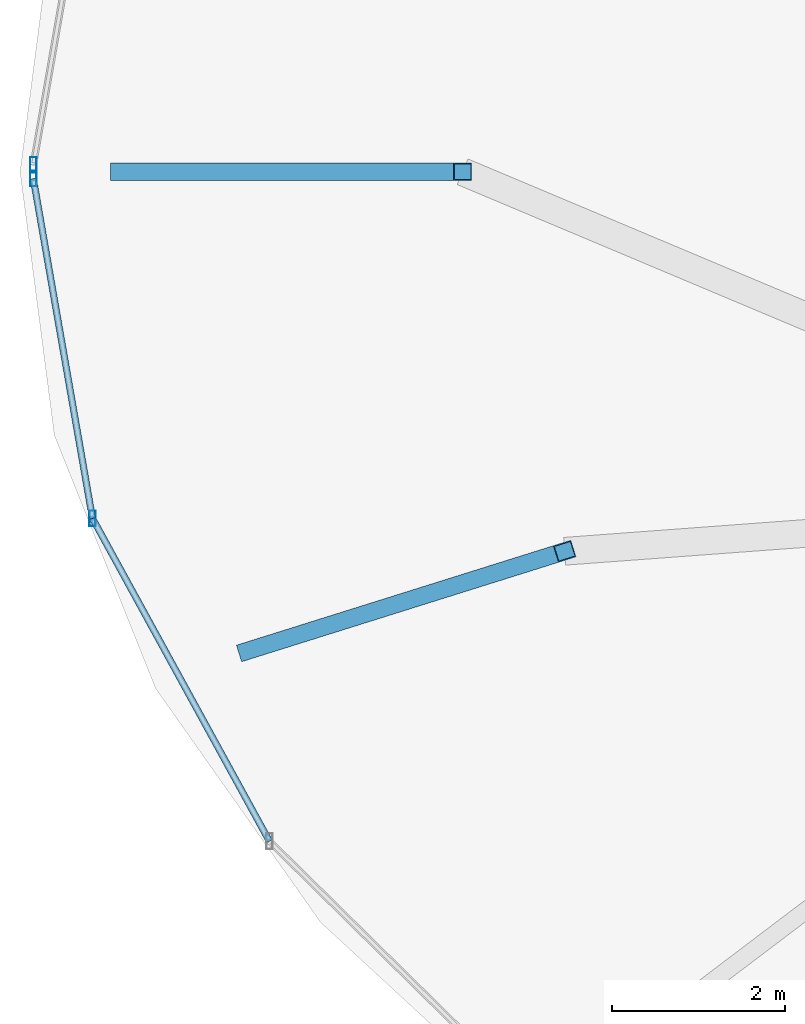
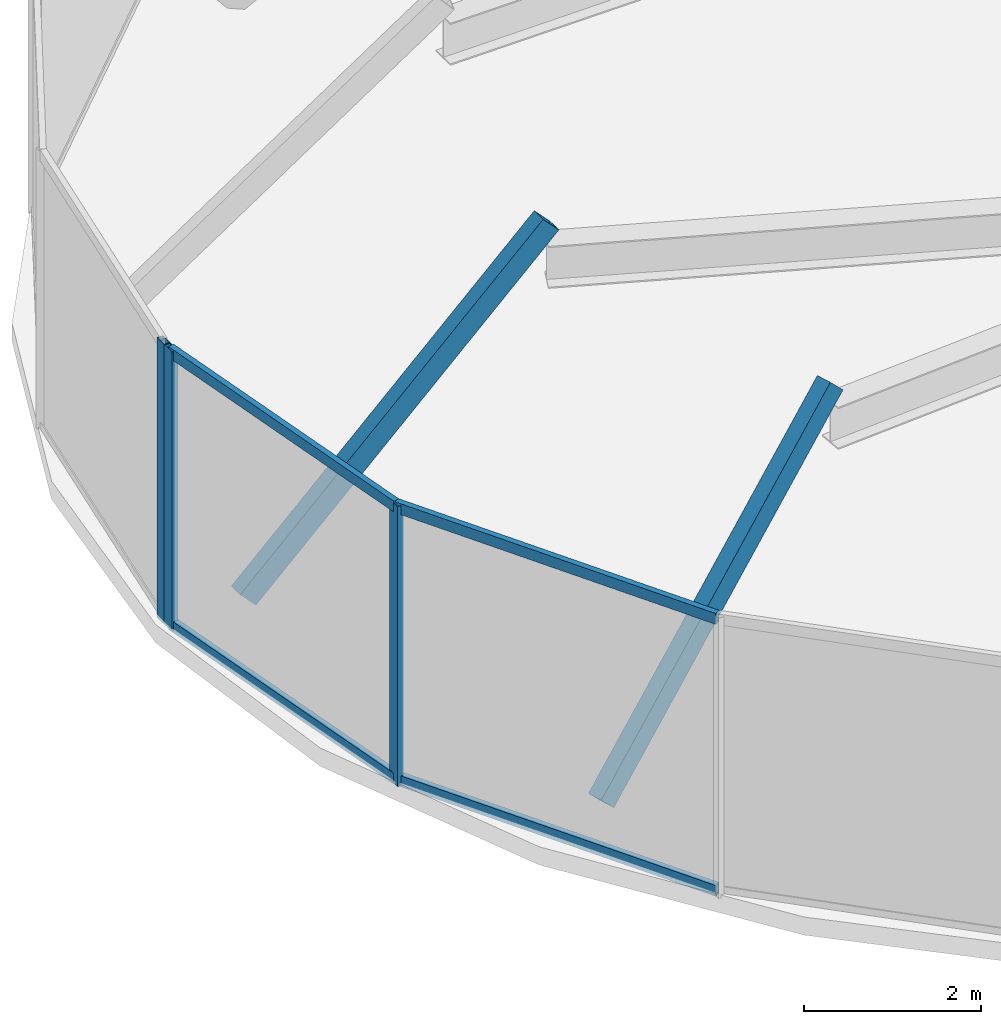
# One storey, part 3 of 14: 9 members, 2 elements without a shape of their own.
"""IFC4 building model written with IfcOpenShell, lengths in metres."""

from ifc_helpers import new_model, si_unit, direction, frame, origin, origin_2d, place, context, subcontext, project, spatial, hollow_rectangle, extrude, material, material_profile, profile_set, type_object, element, aggregate, save


model = new_model("IFC4")

# Units and contexts
model_context = context("Model", 3, precision=1e-05, world=origin(), true_north=direction((0.0, 1.0)))
body_context = subcontext(model_context, "Body", "Model", "MODEL_VIEW")
ifc_project = project(units=[si_unit("LENGTHUNIT", "METRE"), si_unit("AREAUNIT", "SQUARE_METRE"), si_unit("VOLUMEUNIT", "CUBIC_METRE"), si_unit("PLANEANGLEUNIT", "RADIAN"), si_unit("MASSUNIT", "GRAM", prefix="KILO")], contexts=[model_context])

# Site, building, storey
site_placement = place(None, origin())
site = spatial("IfcSite", under=ifc_project, at=site_placement, CompositionType="ELEMENT")
building_placement = place(site_placement, origin())
building = spatial("IfcBuilding", under=site, at=building_placement, Name="Vorneva Point Tower", CompositionType="ELEMENT")
storey_placement = place(building_placement, frame((0.0, 0.0, 299.199951171875)))
storey = spatial("IfcBuildingStorey", under=building, at=storey_placement, Name="C02", CompositionType="ELEMENT", Elevation=299.199951171875)

# Curtain wall, member
ifc_material_1 = material(Name="Pale anodised aluminium", Category="aluminium")
curtain_wall_type = type_object("IfcCurtainWallType", Name="CW-CRN-SYS", PredefinedType="NOTDEFINED", material=ifc_material_1)
curtain_wall_1_placement = place(storey_placement, origin())
curtain_wall_1 = element("IfcCurtainWall", 1, at=curtain_wall_1_placement, inside=storey, type_object=curtain_wall_type, Name="C02 Unitised Curtain Wall CW-C02-Q2", PredefinedType="NOTDEFINED")
ifc_material_profile_1 = material_profile(ifc_material_1, hollow_rectangle(XDim=0.074951171875, YDim=0.179931640625, WallThickness=0.00390625, at=origin_2d()), Name="AL-MUL 180x75x4")
ifc_profile_set_1 = profile_set([ifc_material_profile_1], Name="Pale anodised aluminium")
member_type_1 = type_object("IfcMemberType", Name="CW-MUL-180", PredefinedType="MULLION", material=ifc_profile_set_1)
member_1_placement = place(storey_placement, frame((17.561767578125, 26.078857421875, -0.0400390625), z_axis=(0.0, 0.0, 1.0), x_axis=(1.0, 0.0, 0.0)))
member_1 = element("IfcMember", 2, at=member_1_placement, type_object=member_type_1, Name="CW-C02-Q2 Mullion 07", PredefinedType="MULLION", context=body_context, shape_type="SweptSolid", body=[
    extrude(hollow_rectangle(XDim=0.074951171875, YDim=0.179931640625, WallThickness=0.00390625, at=origin_2d()), origin(), (0.0, 0.0, 1.0), 3.8701171875),
])
aggregate(curtain_wall_1, [member_1])

# Curtain wall, members
curtain_wall_2_placement = place(storey_placement, origin())
curtain_wall_2 = element("IfcCurtainWall", 3, at=curtain_wall_2_placement, inside=storey, type_object=curtain_wall_type, Name="C02 Unitised Curtain Wall CW-C02-Q3", PredefinedType="NOTDEFINED")
member_2_placement = place(storey_placement, frame((17.561767578125, 25.921142578125, -0.0400390625), z_axis=(0.0, 0.0, 1.0), x_axis=(1.0, 0.0, 0.0)))
member_2 = element("IfcMember", 4, at=member_2_placement, type_object=member_type_1, Name="CW-C02-Q3 Mullion 01", PredefinedType="MULLION", context=body_context, shape_type="SweptSolid", body=[
    extrude(hollow_rectangle(XDim=0.074951171875, YDim=0.179931640625, WallThickness=0.00390625, at=origin_2d()), origin(), (0.0, 0.0, 1.0), 3.8701171875),
])
member_3_placement = place(storey_placement, frame((18.244873046875, 21.998779296875, -0.0400390625), z_axis=(0.0, 0.0, 1.0), x_axis=(1.0, 0.0, 0.0)))
member_3 = element("IfcMember", 5, at=member_3_placement, type_object=member_type_1, Name="CW-C02-Q3 Mullion 02", PredefinedType="MULLION", context=body_context, shape_type="SweptSolid", body=[
    extrude(hollow_rectangle(XDim=0.074951171875, YDim=0.179931640625, WallThickness=0.00390625, at=origin_2d()), origin(), (0.0, 0.0, 1.0), 3.8701171875),
])
ifc_material_profile_2 = material_profile(ifc_material_1, hollow_rectangle(XDim=0.074951171875, YDim=0.14990234375, WallThickness=0.00390625, at=origin_2d()), Name="AL-TRN 150x75x4")
ifc_profile_set_2 = profile_set([ifc_material_profile_2], Name="Pale anodised aluminium")
member_type_2 = type_object("IfcMemberType", Name="CW-TRN-150", PredefinedType="USERDEFINED", material=ifc_profile_set_2)
member_4_placement = place(storey_placement, frame((17.561767578125, 25.921142578125, 0.02001953125), z_axis=(0.17157407442, -0.985171222168, 0.0), x_axis=(0.985171222168, 0.17157407442, 0.0)))
member_4 = element("IfcMember", 6, at=member_4_placement, type_object=member_type_2, Name="CW-C02-Q3 Transom 01.1", ObjectType="TRANSOM", PredefinedType="USERDEFINED", context=body_context, shape_type="SweptSolid", body=[
    extrude(hollow_rectangle(XDim=0.074951171875, YDim=0.14990234375, WallThickness=0.00390625, at=origin_2d()), origin(), (0.0, 0.0, 1.0), 3.9814453125),
])
member_5_placement = place(storey_placement, frame((17.561767578125, 25.921142578125, 3.780029296875), z_axis=(0.17157407442, -0.985171222168, 0.0), x_axis=(0.985171222168, 0.17157407442, 0.0)))
member_5 = element("IfcMember", 7, at=member_5_placement, type_object=member_type_2, Name="CW-C02-Q3 Transom 01.2", ObjectType="TRANSOM", PredefinedType="USERDEFINED", context=body_context, shape_type="SweptSolid", body=[
    extrude(hollow_rectangle(XDim=0.074951171875, YDim=0.14990234375, WallThickness=0.00390625, at=origin_2d()), origin(), (0.0, 0.0, 1.0), 3.9814453125),
])
member_6_placement = place(storey_placement, frame((18.244873046875, 21.998779296875, 0.02001953125), z_axis=(0.480544935922, -0.876970104713, 0.0), x_axis=(0.876970104713, 0.480544935922, 0.0)))
member_6 = element("IfcMember", 8, at=member_6_placement, type_object=member_type_2, Name="CW-C02-Q3 Transom 02.1", ObjectType="TRANSOM", PredefinedType="USERDEFINED", context=body_context, shape_type="SweptSolid", body=[
    extrude(hollow_rectangle(XDim=0.074951171875, YDim=0.14990234375, WallThickness=0.00390625, at=origin_2d()), origin(), (0.0, 0.0, 1.0), 4.251953125),
])
member_7_placement = place(storey_placement, frame((18.244873046875, 21.998779296875, 3.780029296875), z_axis=(0.480544935922, -0.876970104713, 0.0), x_axis=(0.876970104713, 0.480544935922, 0.0)))
member_7 = element("IfcMember", 9, at=member_7_placement, type_object=member_type_2, Name="CW-C02-Q3 Transom 02.2", ObjectType="TRANSOM", PredefinedType="USERDEFINED", context=body_context, shape_type="SweptSolid", body=[
    extrude(hollow_rectangle(XDim=0.074951171875, YDim=0.14990234375, WallThickness=0.00390625, at=origin_2d()), origin(), (0.0, 0.0, 1.0), 4.251953125),
])
aggregate(curtain_wall_2, [member_2, member_3, member_4, member_5, member_6, member_7])

# Members
ifc_material_2 = material(Name="Steel S355", Category="steel")
ifc_material_profile_3 = material_profile(ifc_material_2, hollow_rectangle(XDim=0.199951171875, YDim=0.300048828125, WallThickness=0.011962890625, at=origin_2d()), Name="PP 300x200x12")
ifc_profile_set_3 = profile_set([ifc_material_profile_3], Name="Steel S355")
member_type_3 = type_object("IfcMemberType", Name="MBR-CRN-PP300", PredefinedType="CHORD", material=ifc_profile_set_3)
member_8_placement = place(storey_placement, frame((18.55810546875, 26.0, 0.0), z_axis=(0.721525091303, 0.0, 0.692388288911), x_axis=(0.0, 1.0, 0.0)))
element("IfcMember", 10, at=member_8_placement, inside=storey, type_object=member_type_3, Name="Crown Tapered Frame Rib C02-09", PredefinedType="CHORD", context=body_context, shape_type="SweptSolid", body=[
    extrude(hollow_rectangle(XDim=0.199951171875, YDim=0.300048828125, WallThickness=0.011962890625, at=origin_2d()), origin(), (0.0, 0.0, 1.0), 5.48828125),
])
member_9_placement = place(storey_placement, frame((20.037841796875, 20.47021484375, 0.0), z_axis=(0.677712777002, 0.21268405113, 0.703896928736), x_axis=(-0.299427585254, 0.954119028837, 0.0)))
element("IfcMember", 11, at=member_9_placement, inside=storey, type_object=member_type_3, Name="Crown Tapered Frame Rib C02-10", PredefinedType="CHORD", context=body_context, shape_type="SweptSolid", body=[
    extrude(hollow_rectangle(XDim=0.199951171875, YDim=0.300048828125, WallThickness=0.011962890625, at=origin_2d()), origin(), (0.0, 0.0, 1.0), 5.398681640625),
])

save(model, "model.ifc")
